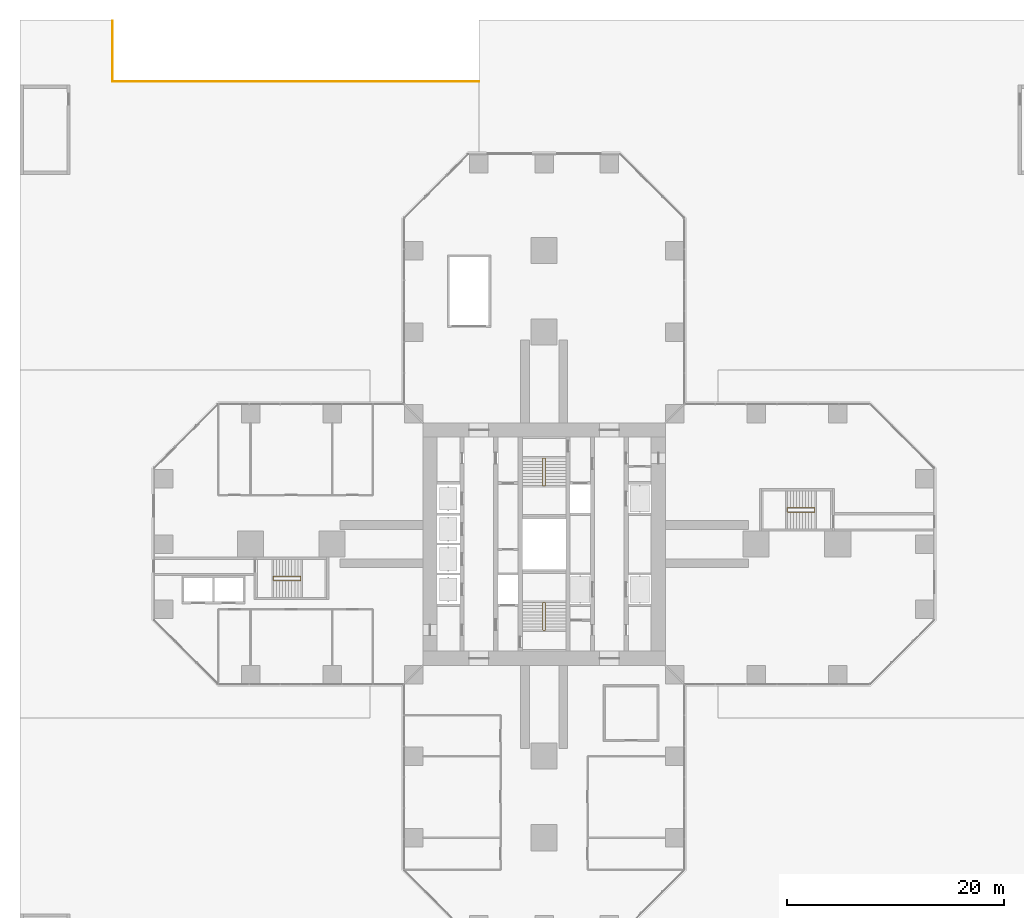
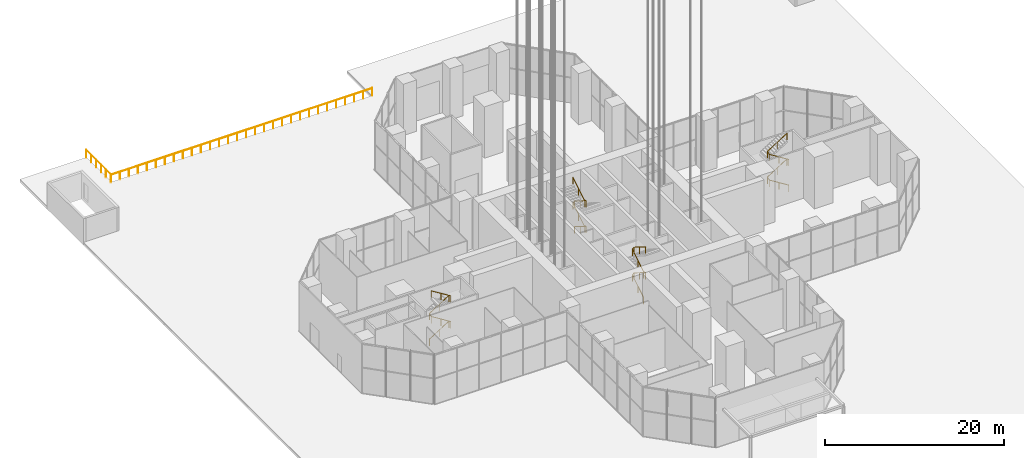
# One storey, part 28 of 43: 5 railings.
"""IFC4 building model written with IfcOpenShell, lengths in metres."""

from ifc_helpers import new_model, si_unit, direction, frame, origin, origin_2d, place, context, subcontext, project, spatial, circle, extrude, material, type_object, element, save


model = new_model("IFC4")

# Units and contexts
model_context = context("Model", 3, precision=1e-05, world=origin(), true_north=direction((0.0, 1.0)))
body_context = subcontext(model_context, "Body", "Model", "MODEL_VIEW")
ifc_project = project(units=[si_unit("LENGTHUNIT", "METRE"), si_unit("AREAUNIT", "SQUARE_METRE"), si_unit("VOLUMEUNIT", "CUBIC_METRE"), si_unit("PLANEANGLEUNIT", "RADIAN"), si_unit("MASSUNIT", "GRAM", prefix="KILO")], contexts=[model_context])

# Site, building, storey
site_placement = place(None, origin())
site = spatial("IfcSite", under=ifc_project, at=site_placement, CompositionType="ELEMENT")
building_placement = place(site_placement, origin())
building = spatial("IfcBuilding", under=site, at=building_placement, Name="Mizan Broadcast Tower", CompositionType="ELEMENT")
storey_placement = place(building_placement, origin())
storey = spatial("IfcBuildingStorey", under=building, at=storey_placement, Name="L00", CompositionType="ELEMENT", Elevation=0.0)

# Railings
ifc_material_1 = material(Name="Stainless steel and glass guard", Category="steel")
railing_type_1 = type_object("IfcRailingType", Name="GUARD 1100", PredefinedType="GUARDRAIL", material=ifc_material_1)
railing_1_placement = place(storey_placement, frame((-6.0, 42.550048828125, 0.0)))
element("IfcRailing", 1, at=railing_1_placement, inside=storey, type_object=railing_type_1, Name="Ramp opening guard", PredefinedType="GUARDRAIL", context=body_context, shape_type="SweptSolid", body=[
    extrude(circle(Radius=0.02392578125, at=origin_2d()), frame((0.0, 0.0, 1.076171875), z_axis=(-1.0, 0.0, 0.0), x_axis=(0.0, -1.0, 0.0)), (0.0, 0.0, 1.0), 33.699951171875),
    extrude(circle(Radius=0.02392578125, at=origin_2d()), frame((-33.699951171875, 0.0, 1.076171875), z_axis=(0.0, 1.0, 0.0), x_axis=(-1.0, 0.0, 0.0)), (0.0, 0.0, 1.0), 5.550048828125),
    extrude(circle(Radius=0.02099609375, at=origin_2d()), origin(), (0.0, 0.0, 1.0), 1.052001953125),
    extrude(circle(Radius=0.02099609375, at=origin_2d()), frame((-1.162109375, 0.0, 0.0)), (0.0, 0.0, 1.0), 1.052001953125),
    extrude(circle(Radius=0.02099609375, at=origin_2d()), frame((-2.32421875, 0.0, 0.0)), (0.0, 0.0, 1.0), 1.052001953125),
    extrude(circle(Radius=0.02099609375, at=origin_2d()), frame((-3.486083984375, 0.0, 0.0)), (0.0, 0.0, 1.0), 1.052001953125),
    extrude(circle(Radius=0.02099609375, at=origin_2d()), frame((-4.648193359375, 0.0, 0.0)), (0.0, 0.0, 1.0), 1.052001953125),
    extrude(circle(Radius=0.02099609375, at=origin_2d()), frame((-5.810302734375, 0.0, 0.0)), (0.0, 0.0, 1.0), 1.052001953125),
    extrude(circle(Radius=0.02099609375, at=origin_2d()), frame((-6.972412109375, 0.0, 0.0)), (0.0, 0.0, 1.0), 1.052001953125),
    extrude(circle(Radius=0.02099609375, at=origin_2d()), frame((-8.134521484375, 0.0, 0.0)), (0.0, 0.0, 1.0), 1.052001953125),
    extrude(circle(Radius=0.02099609375, at=origin_2d()), frame((-9.296630859375, 0.0, 0.0)), (0.0, 0.0, 1.0), 1.052001953125),
    extrude(circle(Radius=0.02099609375, at=origin_2d()), frame((-10.45849609375, 0.0, 0.0)), (0.0, 0.0, 1.0), 1.052001953125),
    extrude(circle(Radius=0.02099609375, at=origin_2d()), frame((-11.62060546875, 0.0, 0.0)), (0.0, 0.0, 1.0), 1.052001953125),
    extrude(circle(Radius=0.02099609375, at=origin_2d()), frame((-12.78271484375, 0.0, 0.0)), (0.0, 0.0, 1.0), 1.052001953125),
    extrude(circle(Radius=0.02099609375, at=origin_2d()), frame((-13.94482421875, 0.0, 0.0)), (0.0, 0.0, 1.0), 1.052001953125),
    extrude(circle(Radius=0.02099609375, at=origin_2d()), frame((-15.10693359375, 0.0, 0.0)), (0.0, 0.0, 1.0), 1.052001953125),
    extrude(circle(Radius=0.02099609375, at=origin_2d()), frame((-16.26904296875, 0.0, 0.0)), (0.0, 0.0, 1.0), 1.052001953125),
    extrude(circle(Radius=0.02099609375, at=origin_2d()), frame((-17.430908203125, 0.0, 0.0)), (0.0, 0.0, 1.0), 1.052001953125),
    extrude(circle(Radius=0.02099609375, at=origin_2d()), frame((-18.593017578125, 0.0, 0.0)), (0.0, 0.0, 1.0), 1.052001953125),
    extrude(circle(Radius=0.02099609375, at=origin_2d()), frame((-19.755126953125, 0.0, 0.0)), (0.0, 0.0, 1.0), 1.052001953125),
    extrude(circle(Radius=0.02099609375, at=origin_2d()), frame((-20.917236328125, 0.0, 0.0)), (0.0, 0.0, 1.0), 1.052001953125),
    extrude(circle(Radius=0.02099609375, at=origin_2d()), frame((-22.079345703125, 0.0, 0.0)), (0.0, 0.0, 1.0), 1.052001953125),
    extrude(circle(Radius=0.02099609375, at=origin_2d()), frame((-23.241455078125, 0.0, 0.0)), (0.0, 0.0, 1.0), 1.052001953125),
    extrude(circle(Radius=0.02099609375, at=origin_2d()), frame((-24.4033203125, 0.0, 0.0)), (0.0, 0.0, 1.0), 1.052001953125),
    extrude(circle(Radius=0.02099609375, at=origin_2d()), frame((-25.5654296875, 0.0, 0.0)), (0.0, 0.0, 1.0), 1.052001953125),
    extrude(circle(Radius=0.02099609375, at=origin_2d()), frame((-26.7275390625, 0.0, 0.0)), (0.0, 0.0, 1.0), 1.052001953125),
    extrude(circle(Radius=0.02099609375, at=origin_2d()), frame((-27.8896484375, 0.0, 0.0)), (0.0, 0.0, 1.0), 1.052001953125),
    extrude(circle(Radius=0.02099609375, at=origin_2d()), frame((-29.0517578125, 0.0, 0.0)), (0.0, 0.0, 1.0), 1.052001953125),
    extrude(circle(Radius=0.02099609375, at=origin_2d()), frame((-30.2138671875, 0.0, 0.0)), (0.0, 0.0, 1.0), 1.052001953125),
    extrude(circle(Radius=0.02099609375, at=origin_2d()), frame((-31.375732421875, 0.0, 0.0)), (0.0, 0.0, 1.0), 1.052001953125),
    extrude(circle(Radius=0.02099609375, at=origin_2d()), frame((-32.537841796875, 0.0, 0.0)), (0.0, 0.0, 1.0), 1.052001953125),
    extrude(circle(Radius=0.02099609375, at=origin_2d()), frame((-33.699951171875, 0.0, 0.0)), (0.0, 0.0, 1.0), 1.052001953125),
    extrude(circle(Radius=0.02099609375, at=origin_2d()), frame((-33.699951171875, 1.110107421875, 0.0)), (0.0, 0.0, 1.0), 1.052001953125),
    extrude(circle(Radius=0.02099609375, at=origin_2d()), frame((-33.699951171875, 2.219970703125, 0.0)), (0.0, 0.0, 1.0), 1.052001953125),
    extrude(circle(Radius=0.02099609375, at=origin_2d()), frame((-33.699951171875, 3.330078125, 0.0)), (0.0, 0.0, 1.0), 1.052001953125),
    extrude(circle(Radius=0.02099609375, at=origin_2d()), frame((-33.699951171875, 4.43994140625, 0.0)), (0.0, 0.0, 1.0), 1.052001953125),
    extrude(circle(Radius=0.02099609375, at=origin_2d()), frame((-33.699951171875, 5.550048828125, 0.0)), (0.0, 0.0, 1.0), 1.052001953125),
])
ifc_material_2 = material(Name="Stainless steel", Category="steel")
railing_type_2 = type_object("IfcRailingType", Name="HANDRAIL 50", PredefinedType="HANDRAIL", material=ifc_material_2)
railing_2_placement = place(storey_placement, frame((-0.110107421875, -7.89990234375, 0.175048828125)))
element("IfcRailing", 2, at=railing_2_placement, inside=storey, type_object=railing_type_2, Name="Stair A handrail", PredefinedType="HANDRAIL", context=body_context, shape_type="SweptSolid", body=[
    extrude(circle(Radius=0.02392578125, at=origin_2d()), frame((0.0, 0.0, 0.8759765625), z_axis=(0.0, 0.848007534815, 0.529984170421), x_axis=(-1.0, 0.0, 0.0)), (0.0, 0.0, 1.0), 2.9716796875),
    extrude(circle(Radius=0.02392578125, at=origin_2d()), frame((0.0, 2.52001953125, 2.45068359375), z_axis=(0.782812415092, 0.0, 0.622257762329), x_axis=(0.0, 1.0, 0.0)), (0.0, 0.0, 1.0), 0.28125),
    extrude(circle(Radius=0.02392578125, at=origin_2d()), frame((0.22021484375, 2.52001953125, 2.6259765625), z_axis=(0.0, -0.848007534815, 0.529984170421), x_axis=(1.0, 0.0, 0.0)), (0.0, 0.0, 1.0), 2.9716796875),
    extrude(circle(Radius=0.02392578125, at=origin_2d()), frame((0.22021484375, 0.0, 4.20068359375), z_axis=(-0.782812415092, 0.0, 0.622257762329), x_axis=(0.0, -1.0, 0.0)), (0.0, 0.0, 1.0), 0.28125),
    extrude(circle(Radius=0.02392578125, at=origin_2d()), frame((0.0, 0.0, 4.3759765625), z_axis=(0.0, 0.848007534815, 0.529984170421), x_axis=(-1.0, 0.0, 0.0)), (0.0, 0.0, 1.0), 2.9716796875),
    extrude(circle(Radius=0.02392578125, at=origin_2d()), frame((0.0, 2.52001953125, 5.95068359375), z_axis=(0.782812415092, 0.0, 0.622257762329), x_axis=(0.0, 1.0, 0.0)), (0.0, 0.0, 1.0), 0.28125),
    extrude(circle(Radius=0.02392578125, at=origin_2d()), frame((0.22021484375, 2.52001953125, 6.1259765625), z_axis=(0.0, -0.848007534815, 0.529984170421), x_axis=(1.0, 0.0, 0.0)), (0.0, 0.0, 1.0), 2.9716796875),
    extrude(circle(Radius=0.02099609375, at=origin_2d()), origin(), (0.0, 0.0, 1.0), 0.851806640625),
    extrude(circle(Radius=0.02099609375, at=origin_2d()), frame((0.0, 1.260009765625, 0.78759765625)), (0.0, 0.0, 1.0), 0.851806640625),
    extrude(circle(Radius=0.02099609375, at=origin_2d()), frame((0.0, 2.52001953125, 1.574951171875)), (0.0, 0.0, 1.0), 0.851806640625),
    extrude(circle(Radius=0.02099609375, at=origin_2d()), frame((0.22021484375, 2.52001953125, 1.75)), (0.0, 0.0, 1.0), 0.851806640625),
    extrude(circle(Radius=0.02099609375, at=origin_2d()), frame((0.22021484375, 1.260009765625, 2.53759765625)), (0.0, 0.0, 1.0), 0.851806640625),
    extrude(circle(Radius=0.02099609375, at=origin_2d()), frame((0.22021484375, 0.0, 3.324951171875)), (0.0, 0.0, 1.0), 0.851806640625),
    extrude(circle(Radius=0.02099609375, at=origin_2d()), frame((0.0, 0.0, 3.5)), (0.0, 0.0, 1.0), 0.851806640625),
    extrude(circle(Radius=0.02099609375, at=origin_2d()), frame((0.0, 1.260009765625, 4.28759765625)), (0.0, 0.0, 1.0), 0.851806640625),
    extrude(circle(Radius=0.02099609375, at=origin_2d()), frame((0.0, 2.52001953125, 5.074951171875)), (0.0, 0.0, 1.0), 0.851806640625),
    extrude(circle(Radius=0.02099609375, at=origin_2d()), frame((0.22021484375, 2.52001953125, 5.25)), (0.0, 0.0, 1.0), 0.851806640625),
    extrude(circle(Radius=0.02099609375, at=origin_2d()), frame((0.22021484375, 1.260009765625, 6.03759765625)), (0.0, 0.0, 1.0), 0.851806640625),
    extrude(circle(Radius=0.02099609375, at=origin_2d()), frame((0.22021484375, 0.0, 6.824951171875)), (0.0, 0.0, 1.0), 0.851806640625),
])
railing_3_placement = place(storey_placement, frame((0.110107421875, 7.89990234375, 0.175048828125)))
element("IfcRailing", 3, at=railing_3_placement, inside=storey, type_object=railing_type_2, Name="Stair B handrail", PredefinedType="HANDRAIL", context=body_context, shape_type="SweptSolid", body=[
    extrude(circle(Radius=0.02392578125, at=origin_2d()), frame((0.0, 0.0, 0.8759765625), z_axis=(0.0, -0.848007534815, 0.529984170421), x_axis=(1.0, 0.0, 0.0)), (0.0, 0.0, 1.0), 2.9716796875),
    extrude(circle(Radius=0.02392578125, at=origin_2d()), frame((0.0, -2.52001953125, 2.45068359375), z_axis=(-0.782812415092, 0.0, 0.622257762329), x_axis=(0.0, -1.0, 0.0)), (0.0, 0.0, 1.0), 0.28125),
    extrude(circle(Radius=0.02392578125, at=origin_2d()), frame((-0.22021484375, -2.52001953125, 2.6259765625), z_axis=(0.0, 0.848007534815, 0.529984170421), x_axis=(-1.0, 0.0, 0.0)), (0.0, 0.0, 1.0), 2.9716796875),
    extrude(circle(Radius=0.02392578125, at=origin_2d()), frame((-0.22021484375, 0.0, 4.20068359375), z_axis=(0.782812415092, 0.0, 0.622257762329), x_axis=(0.0, 1.0, 0.0)), (0.0, 0.0, 1.0), 0.28125),
    extrude(circle(Radius=0.02392578125, at=origin_2d()), frame((0.0, 0.0, 4.3759765625), z_axis=(0.0, -0.848007534815, 0.529984170421), x_axis=(1.0, 0.0, 0.0)), (0.0, 0.0, 1.0), 2.9716796875),
    extrude(circle(Radius=0.02392578125, at=origin_2d()), frame((0.0, -2.52001953125, 5.95068359375), z_axis=(-0.782812415092, 0.0, 0.622257762329), x_axis=(0.0, -1.0, 0.0)), (0.0, 0.0, 1.0), 0.28125),
    extrude(circle(Radius=0.02392578125, at=origin_2d()), frame((-0.22021484375, -2.52001953125, 6.1259765625), z_axis=(0.0, 0.848007534815, 0.529984170421), x_axis=(-1.0, 0.0, 0.0)), (0.0, 0.0, 1.0), 2.9716796875),
    extrude(circle(Radius=0.02099609375, at=origin_2d()), origin(), (0.0, 0.0, 1.0), 0.851806640625),
    extrude(circle(Radius=0.02099609375, at=origin_2d()), frame((0.0, -1.260009765625, 0.78759765625)), (0.0, 0.0, 1.0), 0.851806640625),
    extrude(circle(Radius=0.02099609375, at=origin_2d()), frame((0.0, -2.52001953125, 1.574951171875)), (0.0, 0.0, 1.0), 0.851806640625),
    extrude(circle(Radius=0.02099609375, at=origin_2d()), frame((-0.22021484375, -2.52001953125, 1.75)), (0.0, 0.0, 1.0), 0.851806640625),
    extrude(circle(Radius=0.02099609375, at=origin_2d()), frame((-0.22021484375, -1.260009765625, 2.53759765625)), (0.0, 0.0, 1.0), 0.851806640625),
    extrude(circle(Radius=0.02099609375, at=origin_2d()), frame((-0.22021484375, 0.0, 3.324951171875)), (0.0, 0.0, 1.0), 0.851806640625),
    extrude(circle(Radius=0.02099609375, at=origin_2d()), frame((0.0, 0.0, 3.5)), (0.0, 0.0, 1.0), 0.851806640625),
    extrude(circle(Radius=0.02099609375, at=origin_2d()), frame((0.0, -1.260009765625, 4.28759765625)), (0.0, 0.0, 1.0), 0.851806640625),
    extrude(circle(Radius=0.02099609375, at=origin_2d()), frame((0.0, -2.52001953125, 5.074951171875)), (0.0, 0.0, 1.0), 0.851806640625),
    extrude(circle(Radius=0.02099609375, at=origin_2d()), frame((-0.22021484375, -2.52001953125, 5.25)), (0.0, 0.0, 1.0), 0.851806640625),
    extrude(circle(Radius=0.02099609375, at=origin_2d()), frame((-0.22021484375, -1.260009765625, 6.03759765625)), (0.0, 0.0, 1.0), 0.851806640625),
    extrude(circle(Radius=0.02099609375, at=origin_2d()), frame((-0.22021484375, 0.0, 6.824951171875)), (0.0, 0.0, 1.0), 0.851806640625),
])
railing_4_placement = place(storey_placement, frame((24.889892578125, 2.949951171875, 0.175048828125)))
element("IfcRailing", 4, at=railing_4_placement, inside=storey, type_object=railing_type_2, Name="Stair C handrail", PredefinedType="HANDRAIL", context=body_context, shape_type="SweptSolid", body=[
    extrude(circle(Radius=0.02392578125, at=origin_2d()), frame((0.0, 0.0, 0.8759765625), z_axis=(-0.847984456343, 0.0, 0.530021095618), x_axis=(0.0, -1.0, 0.0)), (0.0, 0.0, 1.0), 2.971435546875),
    extrude(circle(Radius=0.02392578125, at=origin_2d()), frame((-2.519775390625, 0.0, 2.45068359375), z_axis=(0.0, 0.916170163509, 0.400789510211), x_axis=(-1.0, 0.0, 0.0)), (0.0, 0.0, 1.0), 0.436767578125),
    extrude(circle(Radius=0.02392578125, at=origin_2d()), frame((-2.519775390625, 0.400146484375, 2.6259765625), z_axis=(0.847984456343, 0.0, 0.530021095618), x_axis=(0.0, 1.0, 0.0)), (0.0, 0.0, 1.0), 2.971435546875),
    extrude(circle(Radius=0.02392578125, at=origin_2d()), frame((0.0, 0.400146484375, 4.20068359375), z_axis=(0.0, -0.916170163509, 0.400789510211), x_axis=(1.0, 0.0, 0.0)), (0.0, 0.0, 1.0), 0.436767578125),
    extrude(circle(Radius=0.02392578125, at=origin_2d()), frame((0.0, 0.0, 4.3759765625), z_axis=(-0.847984456343, 0.0, 0.530021095618), x_axis=(0.0, -1.0, 0.0)), (0.0, 0.0, 1.0), 2.971435546875),
    extrude(circle(Radius=0.02392578125, at=origin_2d()), frame((-2.519775390625, 0.0, 5.95068359375), z_axis=(0.0, 0.916170163509, 0.400789510211), x_axis=(-1.0, 0.0, 0.0)), (0.0, 0.0, 1.0), 0.436767578125),
    extrude(circle(Radius=0.02392578125, at=origin_2d()), frame((-2.519775390625, 0.400146484375, 6.1259765625), z_axis=(0.847984456343, 0.0, 0.530021095618), x_axis=(0.0, 1.0, 0.0)), (0.0, 0.0, 1.0), 2.971435546875),
    extrude(circle(Radius=0.02099609375, at=origin_2d()), origin(), (0.0, 0.0, 1.0), 0.851806640625),
    extrude(circle(Radius=0.02099609375, at=origin_2d()), frame((-1.259765625, 0.0, 0.78759765625)), (0.0, 0.0, 1.0), 0.851806640625),
    extrude(circle(Radius=0.02099609375, at=origin_2d()), frame((-2.519775390625, 0.0, 1.574951171875)), (0.0, 0.0, 1.0), 0.851806640625),
    extrude(circle(Radius=0.02099609375, at=origin_2d()), frame((-2.519775390625, 0.400146484375, 1.75)), (0.0, 0.0, 1.0), 0.851806640625),
    extrude(circle(Radius=0.02099609375, at=origin_2d()), frame((-1.259765625, 0.400146484375, 2.53759765625)), (0.0, 0.0, 1.0), 0.851806640625),
    extrude(circle(Radius=0.02099609375, at=origin_2d()), frame((0.0, 0.400146484375, 3.324951171875)), (0.0, 0.0, 1.0), 0.851806640625),
    extrude(circle(Radius=0.02099609375, at=origin_2d()), frame((0.0, 0.0, 3.5)), (0.0, 0.0, 1.0), 0.851806640625),
    extrude(circle(Radius=0.02099609375, at=origin_2d()), frame((-1.259765625, 0.0, 4.28759765625)), (0.0, 0.0, 1.0), 0.851806640625),
    extrude(circle(Radius=0.02099609375, at=origin_2d()), frame((-2.519775390625, 0.0, 5.074951171875)), (0.0, 0.0, 1.0), 0.851806640625),
    extrude(circle(Radius=0.02099609375, at=origin_2d()), frame((-2.519775390625, 0.400146484375, 5.25)), (0.0, 0.0, 1.0), 0.851806640625),
    extrude(circle(Radius=0.02099609375, at=origin_2d()), frame((-1.259765625, 0.400146484375, 6.03759765625)), (0.0, 0.0, 1.0), 0.851806640625),
    extrude(circle(Radius=0.02099609375, at=origin_2d()), frame((0.0, 0.400146484375, 6.824951171875)), (0.0, 0.0, 1.0), 0.851806640625),
])
railing_5_placement = place(storey_placement, frame((-24.889892578125, -2.949951171875, 0.175048828125)))
element("IfcRailing", 5, at=railing_5_placement, inside=storey, type_object=railing_type_2, Name="Stair D handrail", PredefinedType="HANDRAIL", context=body_context, shape_type="SweptSolid", body=[
    extrude(circle(Radius=0.02392578125, at=origin_2d()), frame((0.0, 0.0, 0.8759765625), z_axis=(0.847984456343, 0.0, 0.530021095618), x_axis=(0.0, 1.0, 0.0)), (0.0, 0.0, 1.0), 2.971435546875),
    extrude(circle(Radius=0.02392578125, at=origin_2d()), frame((2.519775390625, 0.0, 2.45068359375), z_axis=(0.0, -0.916170163509, 0.400789510211), x_axis=(1.0, 0.0, 0.0)), (0.0, 0.0, 1.0), 0.436767578125),
    extrude(circle(Radius=0.02392578125, at=origin_2d()), frame((2.519775390625, -0.400146484375, 2.6259765625), z_axis=(-0.847984456343, 0.0, 0.530021095618), x_axis=(0.0, -1.0, 0.0)), (0.0, 0.0, 1.0), 2.971435546875),
    extrude(circle(Radius=0.02392578125, at=origin_2d()), frame((0.0, -0.400146484375, 4.20068359375), z_axis=(0.0, 0.916170163509, 0.400789510211), x_axis=(-1.0, 0.0, 0.0)), (0.0, 0.0, 1.0), 0.436767578125),
    extrude(circle(Radius=0.02392578125, at=origin_2d()), frame((0.0, 0.0, 4.3759765625), z_axis=(0.847984456343, 0.0, 0.530021095618), x_axis=(0.0, 1.0, 0.0)), (0.0, 0.0, 1.0), 2.971435546875),
    extrude(circle(Radius=0.02392578125, at=origin_2d()), frame((2.519775390625, 0.0, 5.95068359375), z_axis=(0.0, -0.916170163509, 0.400789510211), x_axis=(1.0, 0.0, 0.0)), (0.0, 0.0, 1.0), 0.436767578125),
    extrude(circle(Radius=0.02392578125, at=origin_2d()), frame((2.519775390625, -0.400146484375, 6.1259765625), z_axis=(-0.847984456343, 0.0, 0.530021095618), x_axis=(0.0, -1.0, 0.0)), (0.0, 0.0, 1.0), 2.971435546875),
    extrude(circle(Radius=0.02099609375, at=origin_2d()), origin(), (0.0, 0.0, 1.0), 0.851806640625),
    extrude(circle(Radius=0.02099609375, at=origin_2d()), frame((1.259765625, 0.0, 0.78759765625)), (0.0, 0.0, 1.0), 0.851806640625),
    extrude(circle(Radius=0.02099609375, at=origin_2d()), frame((2.519775390625, 0.0, 1.574951171875)), (0.0, 0.0, 1.0), 0.851806640625),
    extrude(circle(Radius=0.02099609375, at=origin_2d()), frame((2.519775390625, -0.400146484375, 1.75)), (0.0, 0.0, 1.0), 0.851806640625),
    extrude(circle(Radius=0.02099609375, at=origin_2d()), frame((1.259765625, -0.400146484375, 2.53759765625)), (0.0, 0.0, 1.0), 0.851806640625),
    extrude(circle(Radius=0.02099609375, at=origin_2d()), frame((0.0, -0.400146484375, 3.324951171875)), (0.0, 0.0, 1.0), 0.851806640625),
    extrude(circle(Radius=0.02099609375, at=origin_2d()), frame((0.0, 0.0, 3.5)), (0.0, 0.0, 1.0), 0.851806640625),
    extrude(circle(Radius=0.02099609375, at=origin_2d()), frame((1.259765625, 0.0, 4.28759765625)), (0.0, 0.0, 1.0), 0.851806640625),
    extrude(circle(Radius=0.02099609375, at=origin_2d()), frame((2.519775390625, 0.0, 5.074951171875)), (0.0, 0.0, 1.0), 0.851806640625),
    extrude(circle(Radius=0.02099609375, at=origin_2d()), frame((2.519775390625, -0.400146484375, 5.25)), (0.0, 0.0, 1.0), 0.851806640625),
    extrude(circle(Radius=0.02099609375, at=origin_2d()), frame((1.259765625, -0.400146484375, 6.03759765625)), (0.0, 0.0, 1.0), 0.851806640625),
    extrude(circle(Radius=0.02099609375, at=origin_2d()), frame((0.0, -0.400146484375, 6.824951171875)), (0.0, 0.0, 1.0), 0.851806640625),
])

save(model, "model.ifc")
